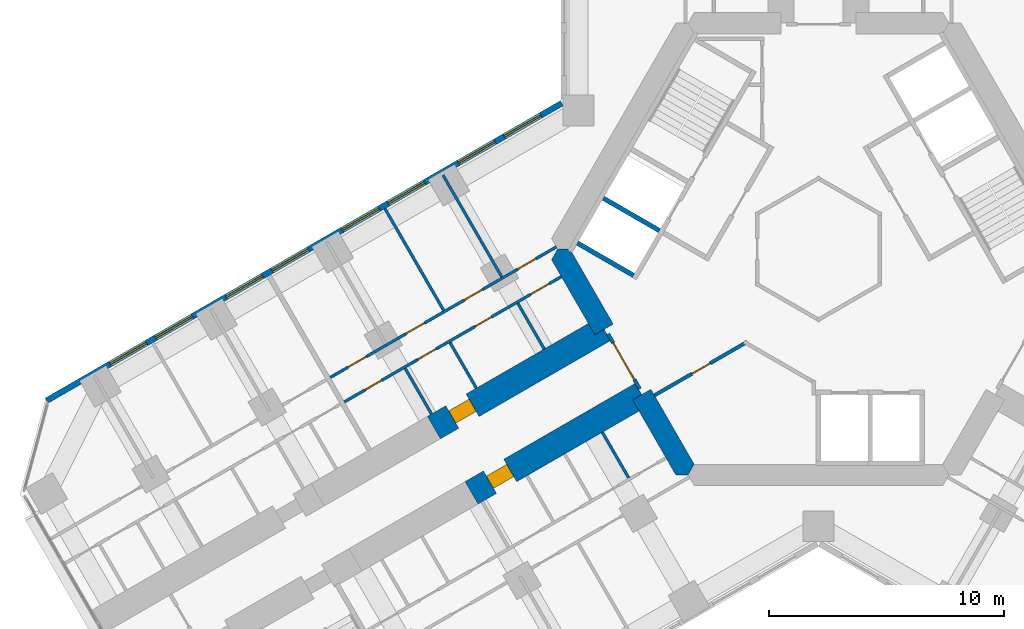
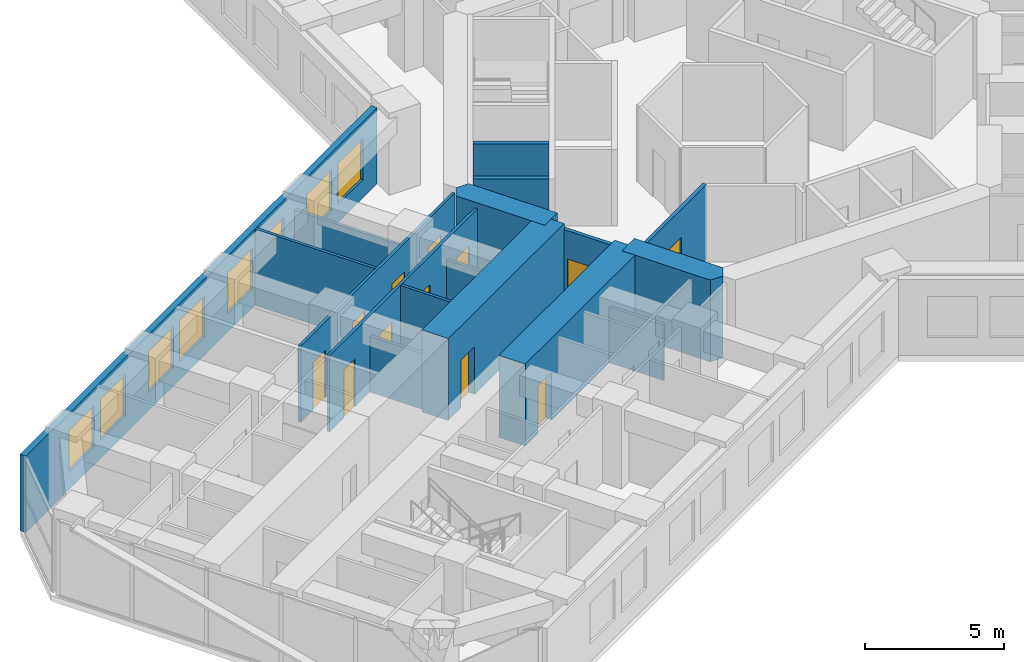
# One storey, part 12 of 19: 17 walls, 12 doors, 8 windows, 20 openings.
"""IFC4 building model written with IfcOpenShell, lengths in metres."""

from ifc_helpers import new_model, si_unit, direction, frame, frame_2d, origin, place, context, subcontext, project, spatial, polyline, rectangle, outline, extrude, material, layer, layer_set, type_object, element, fill, save


model = new_model("IFC4")

# Units and contexts
model_context = context("Model", 3, precision=1e-05, world=origin(), true_north=direction((0.0, 1.0)))
body_context = subcontext(model_context, "Body", "Model", "MODEL_VIEW")
ifc_project = project(units=[si_unit("LENGTHUNIT", "METRE"), si_unit("AREAUNIT", "SQUARE_METRE"), si_unit("VOLUMEUNIT", "CUBIC_METRE"), si_unit("PLANEANGLEUNIT", "RADIAN"), si_unit("MASSUNIT", "GRAM", prefix="KILO")], contexts=[model_context])

# Site, building, storey
site_placement = place(None, origin())
site = spatial("IfcSite", under=ifc_project, at=site_placement, CompositionType="ELEMENT")
building_placement = place(site_placement, origin())
building = spatial("IfcBuilding", under=site, at=building_placement, Name="Kosmar Iwan School Tower", CompositionType="ELEMENT")
storey_placement = place(building_placement, frame((0.0, 0.0, 120.199951171875)))
storey = spatial("IfcBuildingStorey", under=building, at=storey_placement, Name="L29", CompositionType="ELEMENT", Elevation=120.199951171875)

# Wall, opening, door
ifc_material_1 = material(Name="Gypsum board on steel studs, fire-rated", Category="steel")
ifc_layer_1 = layer(ifc_material_1, 0.14990234375)
ifc_layer_set_1 = layer_set([ifc_layer_1], Name="Core room partition 150")
wall_type_1 = type_object("IfcWallType", Name="Core room partition 150", PredefinedType="PARTITIONING", material=ifc_layer_set_1)
wall_1_placement = place(storey_placement, frame((-6.978515625, -6.222900390625, 0.0), z_axis=(0.0, 0.0, 1.0), x_axis=(0.866033797781, 0.49998546089, 0.0)))
wall_1 = element("IfcWall", 1, at=wall_1_placement, inside=storey, type_object=wall_type_1, Name="Core room partition L29-CW5", PredefinedType="PARTITIONING", context=body_context, shape_type="SweptSolid", body=[
    extrude(rectangle(XDim=4.553466796875, YDim=0.14990234375, at=frame_2d((2.27685546875, 0.0))), origin(), (0.0, 0.0, 1.0), 3.35009765625),
])
opening_1_placement = place(wall_1_placement, frame((1.846923828125, 0.0, 0.0)))
opening_1 = element("IfcOpeningElement", 2, at=opening_1_placement, cuts=wall_1, Name="Opening D14", PredefinedType="OPENING", context=body_context, shape_type="SweptSolid", body=[
    extrude(rectangle(XDim=0.89990234375, YDim=2.10009765625, at=frame_2d((0.449951171875, 1.050048828125))), frame((0.0, 0.0869140625, 0.0), z_axis=(0.0, -1.0, 0.0), x_axis=(1.0, 0.0, 0.0)), (0.0, 0.0, 1.0), 0.173828125),
])
ifc_material_2 = material(Name="Timber fire door in steel frame", Category="steel")
door_type_1 = type_object("IfcDoorType", Name="Core room door 900x2100", OperationType="SINGLE_SWING_LEFT", PredefinedType="DOOR", material=ifc_material_2)
door_1_placement = place(opening_1_placement, origin())
door_1 = element("IfcDoor", 3, at=door_1_placement, inside=storey, type_object=door_type_1, Name="Parcel room door L29 3", OperationType="SINGLE_SWING_LEFT", OverallHeight=2.10009765625, OverallWidth=0.89990234375, PredefinedType="DOOR", context=body_context, shape_type="SweptSolid", body=[
    extrude(rectangle(XDim=0.89990234375, YDim=2.10009765625, at=frame_2d((0.449951171875, 1.050048828125))), frame((0.0, 0.02490234375, 0.0), z_axis=(0.0, -1.0, 0.0), x_axis=(1.0, 0.0, 0.0)), (0.0, 0.0, 1.0), 0.050048828125),
])
fill(opening_1, door_1)

# Walls
ifc_material_3 = material(Name="Concrete C50/60", Category="concrete")
ifc_layer_2 = layer(ifc_material_3, 0.89990234375)
ifc_layer_set_2 = layer_set([ifc_layer_2], Name="Core wall 900")
wall_type_2 = type_object("IfcWallType", Name="Core wall 900", PredefinedType="SHEAR", material=ifc_layer_set_2)
wall_2_placement = place(storey_placement, origin())
element("IfcWall", 4, at=wall_2_placement, inside=storey, type_object=wall_type_2, Name="Core wall F210a", PredefinedType="SHEAR", context=body_context, shape_type="SweptSolid", body=[
    extrude(outline(polyline([(-9.503662109375, -3.639404296875), (-8.72412109375, -3.189453125), (-10.5654296875, 0.0), (-11.085205078125, 0.0), (-11.344970703125, -0.449951171875), (-9.503662109375, -3.639404296875)])), origin(), (0.0, 0.0, 1.0), 3.60009765625),
])
wall_3_placement = place(storey_placement, origin())
element("IfcWall", 5, at=wall_3_placement, inside=storey, type_object=wall_type_2, Name="Core wall F210b", PredefinedType="SHEAR", context=body_context, shape_type="SweptSolid", body=[
    extrude(outline(polyline([(-6.062255859375, -9.60009765625), (-5.54248046875, -9.60009765625), (-5.28271484375, -9.14990234375), (-7.1240234375, -5.960693359375), (-7.903564453125, -6.41064453125), (-6.062255859375, -9.60009765625)])), origin(), (0.0, 0.0, 1.0), 3.60009765625),
])

# Wall, opening, door
ifc_material_4 = material(Name="Concrete C50/60", Category="concrete")
ifc_layer_3 = layer(ifc_material_4, 1.10009765625)
ifc_layer_set_3 = layer_set([ifc_layer_3], Name="Corridor buttress wall 1100")
wall_type_3 = type_object("IfcWallType", Name="Corridor buttress wall 1100", PredefinedType="SHEAR", material=ifc_layer_set_3)
wall_4_placement = place(storey_placement, frame((-7.513916015625, -6.185546875, 0.0), z_axis=(0.0, 0.0, 1.0), x_axis=(-0.866019549707, -0.500010139422, 0.0)))
wall_4 = element("IfcWall", 6, at=wall_4_placement, inside=storey, type_object=wall_type_3, Name="Corridor wall BL", PredefinedType="SHEAR", context=body_context, shape_type="SweptSolid", body=[
    extrude(rectangle(XDim=8.349853515625, YDim=1.10009765625, at=frame_2d((4.1748046875, 0.0))), origin(), (0.0, 0.0, 1.0), 3.60009765625),
])
opening_2_placement = place(wall_4_placement, frame((6.449951171875, 0.0, 0.0)))
opening_2 = element("IfcOpeningElement", 7, at=opening_2_placement, cuts=wall_4, Name="Opening D1", PredefinedType="OPENING", context=body_context, shape_type="SweptSolid", body=[
    extrude(rectangle(XDim=1.0, YDim=2.10009765625, at=frame_2d((0.5, 1.050048828125))), frame((0.0, 0.56201171875, 0.0), z_axis=(0.0, -1.0, 0.0), x_axis=(1.0, 0.0, 0.0)), (0.0, 0.0, 1.0), 1.1240234375),
])
ifc_material_5 = material(Name="Timber fire door in steel frame", Category="steel")
door_type_2 = type_object("IfcDoorType", Name="Flat entrance door 1000x2100", OperationType="SINGLE_SWING_LEFT", PredefinedType="DOOR", material=ifc_material_5)
door_2_placement = place(opening_2_placement, origin())
door_2 = element("IfcDoor", 8, at=door_2_placement, inside=storey, type_object=door_type_2, Name="Flat L29-BL1 entrance door", OperationType="SINGLE_SWING_LEFT", OverallHeight=2.10009765625, OverallWidth=1.0, PredefinedType="DOOR", context=body_context, shape_type="SweptSolid", body=[
    extrude(rectangle(XDim=1.0, YDim=2.10009765625, at=frame_2d((0.5, 1.050048828125))), frame((0.0, 0.300048828125, 0.0), z_axis=(0.0, -1.0, 0.0), x_axis=(1.0, 0.0, 0.0)), (0.0, 0.0, 1.0), 0.60009765625),
])
fill(opening_2, door_2)

wall_5_placement = place(storey_placement, frame((-9.11376953125, -3.414306640625, 0.0), z_axis=(0.0, 0.0, 1.0), x_axis=(-0.866026859388, -0.499997478812, 0.0)))
wall_5 = element("IfcWall", 9, at=wall_5_placement, inside=storey, type_object=wall_type_3, Name="Corridor wall BR", PredefinedType="SHEAR", context=body_context, shape_type="SweptSolid", body=[
    extrude(rectangle(XDim=8.35009765625, YDim=1.10009765625, at=frame_2d((4.175048828125, 0.0))), origin(), (0.0, 0.0, 1.0), 3.60009765625),
])
opening_3_placement = place(wall_5_placement, frame((6.449951171875, 0.0, 0.0)))
opening_3 = element("IfcOpeningElement", 10, at=opening_3_placement, cuts=wall_5, Name="Opening D1", PredefinedType="OPENING", context=body_context, shape_type="SweptSolid", body=[
    extrude(rectangle(XDim=1.0, YDim=2.10009765625, at=frame_2d((0.5, 1.050048828125))), frame((0.0, 0.56201171875, 0.0), z_axis=(0.0, -1.0, 0.0), x_axis=(1.0, 0.0, 0.0)), (0.0, 0.0, 1.0), 1.1240234375),
])
door_3_placement = place(opening_3_placement, origin())
door_3 = element("IfcDoor", 11, at=door_3_placement, inside=storey, type_object=door_type_2, Name="Flat L29-BR1 entrance door", OperationType="SINGLE_SWING_RIGHT", OverallHeight=2.10009765625, OverallWidth=1.0, PredefinedType="DOOR", context=body_context, shape_type="SweptSolid", body=[
    extrude(rectangle(XDim=1.0, YDim=2.10009765625, at=frame_2d((0.5, 1.050048828125))), frame((0.0, 0.300048828125, 0.0), z_axis=(0.0, -1.0, 0.0), x_axis=(1.0, 0.0, 0.0)), (0.0, 0.0, 1.0), 0.60009765625),
])
fill(opening_3, door_3)

ifc_material_6 = material(Name="Steel framed glazed screen", Category="steel")
ifc_layer_4 = layer(ifc_material_6, 0.14990234375)
ifc_layer_set_4 = layer_set([ifc_layer_4], Name="Corridor screen wall 150")
wall_type_4 = type_object("IfcWallType", Name="Corridor screen wall 150", PredefinedType="PARTITIONING", material=ifc_layer_set_4)
wall_6_placement = place(storey_placement, frame((-8.945556640625, -3.60595703125, 0.0), z_axis=(0.0, 0.0, 1.0), x_axis=(0.500048589285, -0.86599734893, 0.0)))
wall_6 = element("IfcWall", 12, at=wall_6_placement, inside=storey, type_object=wall_type_4, Name="Corridor screen B L29", PredefinedType="PARTITIONING", context=body_context, shape_type="SweptSolid", body=[
    extrude(rectangle(XDim=2.699951171875, YDim=0.14990234375, at=frame_2d((1.35009765625, 0.0))), origin(), (0.0, 0.0, 1.0), 3.35009765625),
])
opening_4_placement = place(wall_6_placement, frame((0.449951171875, 0.0, 0.0)))
opening_4 = element("IfcOpeningElement", 13, at=opening_4_placement, cuts=wall_6, Name="Opening D9", PredefinedType="OPENING", context=body_context, shape_type="SweptSolid", body=[
    extrude(rectangle(XDim=1.800048828125, YDim=2.10009765625, at=frame_2d((0.89990234375, 1.050048828125))), frame((0.0, 0.0869140625, 0.0), z_axis=(0.0, -1.0, 0.0), x_axis=(1.0, 0.0, 0.0)), (0.0, 0.0, 1.0), 0.173828125),
])
ifc_material_7 = material(Name="Steel framed glazed smoke door", Category="steel")
door_type_3 = type_object("IfcDoorType", Name="Corridor smoke door pair 1800x2100", OperationType="DOUBLE_DOOR_DOUBLE_SWING", PredefinedType="DOOR", material=ifc_material_7)
door_4_placement = place(opening_4_placement, origin())
door_4 = element("IfcDoor", 14, at=door_4_placement, inside=storey, type_object=door_type_3, Name="Corridor doors B L29", OperationType="DOUBLE_DOOR_DOUBLE_SWING", OverallHeight=2.10009765625, OverallWidth=1.800048828125, PredefinedType="DOOR", context=body_context, shape_type="SweptSolid", body=[
    extrude(rectangle(XDim=1.800048828125, YDim=2.10009765625, at=frame_2d((0.89990234375, 1.050048828125))), frame((0.0, 0.02490234375, 0.0), z_axis=(0.0, -1.0, 0.0), x_axis=(1.0, 0.0, 0.0)), (0.0, 0.0, 1.0), 0.050048828125),
])
fill(opening_4, door_4)

# Wall
ifc_material_8 = material(Name="Gypsum board on steel studs", Category="steel")
ifc_layer_5 = layer(ifc_material_8, 0.1201171875)
ifc_layer_set_5 = layer_set([ifc_layer_5], Name="Dwelling partition 120")
wall_type_5 = type_object("IfcWallType", Name="Dwelling partition 120", PredefinedType="PARTITIONING", material=ifc_layer_set_5)
wall_7_placement = place(storey_placement, frame((-9.1875, -7.786865234375, 0.0), z_axis=(0.0, 0.0, 1.0), x_axis=(0.500030632641, -0.866007717299, 0.0)))
element("IfcWall", 15, at=wall_7_placement, inside=storey, type_object=wall_type_5, Name="Partition L29-BL1-Y1", PredefinedType="PARTITIONING", context=body_context, shape_type="SweptSolid", body=[
    extrude(rectangle(XDim=2.239990234375, YDim=0.1201171875, at=frame_2d((1.1201171875, 0.0))), origin(), (0.0, 0.0, 1.0), 2.449951171875),
])

# Wall, openings, doors
wall_8_placement = place(storey_placement, frame((-10.928466796875, -1.171142578125, 0.0), z_axis=(0.0, 0.0, 1.0), x_axis=(-0.866032509089, -0.49998769305, 0.0)))
wall_8 = element("IfcWall", 16, at=wall_8_placement, inside=storey, type_object=wall_type_5, Name="Partition L29-BR1-W1", PredefinedType="PARTITIONING", context=body_context, shape_type="SweptSolid", body=[
    extrude(rectangle(XDim=10.650146484375, YDim=0.1201171875, at=frame_2d((5.3251953125, 0.0))), origin(), (0.0, 0.0, 1.0), 3.35009765625),
])
opening_5_placement = place(wall_8_placement, frame((0.610107421875, 0.0, 0.0)))
opening_5 = element("IfcOpeningElement", 17, at=opening_5_placement, cuts=wall_8, Name="Opening D2", PredefinedType="OPENING", context=body_context, shape_type="SweptSolid", body=[
    extrude(rectangle(XDim=0.89990234375, YDim=2.10009765625, at=frame_2d((0.449951171875, 1.050048828125))), frame((0.0, 0.072021484375, 0.0), z_axis=(0.0, -1.0, 0.0), x_axis=(1.0, 0.0, 0.0)), (0.0, 0.0, 1.0), 0.14404296875),
])
opening_6_placement = place(wall_8_placement, frame((3.43505859375, 0.0, 0.0)))
opening_6 = element("IfcOpeningElement", 18, at=opening_6_placement, cuts=wall_8, Name="Opening D3", PredefinedType="OPENING", context=body_context, shape_type="SweptSolid", body=[
    extrude(rectangle(XDim=0.800048828125, YDim=2.10009765625, at=frame_2d((0.39990234375, 1.050048828125))), frame((0.0, 0.072021484375, 0.0), z_axis=(0.0, -1.0, 0.0), x_axis=(1.0, 0.0, 0.0)), (0.0, 0.0, 1.0), 0.14404296875),
])
opening_7_placement = place(wall_8_placement, frame((6.14990234375, 0.0, 0.0)))
opening_7 = element("IfcOpeningElement", 19, at=opening_7_placement, cuts=wall_8, Name="Opening D2", PredefinedType="OPENING", context=body_context, shape_type="SweptSolid", body=[
    extrude(rectangle(XDim=0.89990234375, YDim=2.10009765625, at=frame_2d((0.449951171875, 1.050048828125))), frame((0.0, 0.072021484375, 0.0), z_axis=(0.0, -1.0, 0.0), x_axis=(1.0, 0.0, 0.0)), (0.0, 0.0, 1.0), 0.14404296875),
])
opening_8_placement = place(wall_8_placement, frame((8.824951171875, 0.0, 0.0)))
opening_8 = element("IfcOpeningElement", 20, at=opening_8_placement, cuts=wall_8, Name="Opening D3", PredefinedType="OPENING", context=body_context, shape_type="SweptSolid", body=[
    extrude(rectangle(XDim=0.800048828125, YDim=2.10009765625, at=frame_2d((0.39990234375, 1.050048828125))), frame((0.0, 0.072021484375, 0.0), z_axis=(0.0, -1.0, 0.0), x_axis=(1.0, 0.0, 0.0)), (0.0, 0.0, 1.0), 0.14404296875),
])
ifc_material_9 = material(Name="Timber door in timber frame", Category="wood")
door_type_4 = type_object("IfcDoorType", Name="Internal door 900x2100", OperationType="SINGLE_SWING_LEFT", PredefinedType="DOOR", material=ifc_material_9)
door_5_placement = place(opening_5_placement, origin())
door_5 = element("IfcDoor", 21, at=door_5_placement, inside=storey, type_object=door_type_4, Name="Pantry door L29-BR1-S1", OperationType="SINGLE_SWING_LEFT", OverallHeight=2.10009765625, OverallWidth=0.89990234375, PredefinedType="DOOR", context=body_context, shape_type="SweptSolid", body=[
    extrude(rectangle(XDim=0.89990234375, YDim=2.10009765625, at=frame_2d((0.449951171875, 1.050048828125))), frame((0.0, 0.02490234375, 0.0), z_axis=(0.0, -1.0, 0.0), x_axis=(1.0, 0.0, 0.0)), (0.0, 0.0, 1.0), 0.050048828125),
])
fill(opening_5, door_5)
door_6_placement = place(opening_7_placement, origin())
door_6 = element("IfcDoor", 22, at=door_6_placement, inside=storey, type_object=door_type_4, Name="Entrance hall door L29-BR1-S3", OperationType="SINGLE_SWING_LEFT", OverallHeight=2.10009765625, OverallWidth=0.89990234375, PredefinedType="DOOR", context=body_context, shape_type="SweptSolid", body=[
    extrude(rectangle(XDim=0.89990234375, YDim=2.10009765625, at=frame_2d((0.449951171875, 1.050048828125))), frame((0.0, 0.02490234375, 0.0), z_axis=(0.0, -1.0, 0.0), x_axis=(1.0, 0.0, 0.0)), (0.0, 0.0, 1.0), 0.050048828125),
])
fill(opening_7, door_6)
ifc_material_10 = material(Name="Timber door in timber frame", Category="wood")
door_type_5 = type_object("IfcDoorType", Name="Sanitary room door 800x2100", OperationType="SINGLE_SWING_LEFT", PredefinedType="DOOR", material=ifc_material_10)
door_7_placement = place(opening_6_placement, origin())
door_7 = element("IfcDoor", 23, at=door_7_placement, inside=storey, type_object=door_type_5, Name="Bathroom door L29-BR1-S2", OperationType="SINGLE_SWING_RIGHT", OverallHeight=2.10009765625, OverallWidth=0.800048828125, PredefinedType="DOOR", context=body_context, shape_type="SweptSolid", body=[
    extrude(rectangle(XDim=0.800048828125, YDim=2.10009765625, at=frame_2d((0.39990234375, 1.050048828125))), frame((0.0, 0.02490234375, 0.0), z_axis=(0.0, -1.0, 0.0), x_axis=(1.0, 0.0, 0.0)), (0.0, 0.0, 1.0), 0.050048828125),
])
fill(opening_6, door_7)
door_8_placement = place(opening_8_placement, origin())
door_8 = element("IfcDoor", 24, at=door_8_placement, inside=storey, type_object=door_type_5, Name="WC door L29-BR1-S4", OperationType="SINGLE_SWING_RIGHT", OverallHeight=2.10009765625, OverallWidth=0.800048828125, PredefinedType="DOOR", context=body_context, shape_type="SweptSolid", body=[
    extrude(rectangle(XDim=0.800048828125, YDim=2.10009765625, at=frame_2d((0.39990234375, 1.050048828125))), frame((0.0, 0.02490234375, 0.0), z_axis=(0.0, -1.0, 0.0), x_axis=(1.0, 0.0, 0.0)), (0.0, 0.0, 1.0), 0.050048828125),
])
fill(opening_8, door_8)

wall_9_placement = place(storey_placement, frame((-11.138916015625, 0.093017578125, 0.0), z_axis=(0.0, 0.0, 1.0), x_axis=(-0.866021494144, -0.500006771635, 0.0)))
wall_9 = element("IfcWall", 25, at=wall_9_placement, inside=storey, type_object=wall_type_5, Name="Partition L29-BR1-W2", PredefinedType="PARTITIONING", context=body_context, shape_type="SweptSolid", body=[
    extrude(rectangle(XDim=11.099853515625, YDim=0.1201171875, at=frame_2d((5.5498046875, 0.0))), origin(), (0.0, 0.0, 1.0), 3.35009765625),
])
opening_9_placement = place(wall_9_placement, frame((1.0, 0.0, 0.0)))
opening_9 = element("IfcOpeningElement", 26, at=opening_9_placement, cuts=wall_9, Name="Opening D2", PredefinedType="OPENING", context=body_context, shape_type="SweptSolid", body=[
    extrude(rectangle(XDim=0.89990234375, YDim=2.10009765625, at=frame_2d((0.449951171875, 1.050048828125))), frame((0.0, 0.072021484375, 0.0), z_axis=(0.0, -1.0, 0.0), x_axis=(1.0, 0.0, 0.0)), (0.0, 0.0, 1.0), 0.14404296875),
])
opening_10_placement = place(wall_9_placement, frame((3.625, 0.0, 0.0)))
opening_10 = element("IfcOpeningElement", 27, at=opening_10_placement, cuts=wall_9, Name="Opening D2", PredefinedType="OPENING", context=body_context, shape_type="SweptSolid", body=[
    extrude(rectangle(XDim=0.89990234375, YDim=2.10009765625, at=frame_2d((0.449951171875, 1.050048828125))), frame((0.0, 0.072021484375, 0.0), z_axis=(0.0, -1.0, 0.0), x_axis=(1.0, 0.0, 0.0)), (0.0, 0.0, 1.0), 0.14404296875),
])
opening_11_placement = place(wall_9_placement, frame((6.47509765625, 0.0, 0.0)))
opening_11 = element("IfcOpeningElement", 28, at=opening_11_placement, cuts=wall_9, Name="Opening D2", PredefinedType="OPENING", context=body_context, shape_type="SweptSolid", body=[
    extrude(rectangle(XDim=0.89990234375, YDim=2.10009765625, at=frame_2d((0.449951171875, 1.050048828125))), frame((0.0, 0.072021484375, 0.0), z_axis=(0.0, -1.0, 0.0), x_axis=(1.0, 0.0, 0.0)), (0.0, 0.0, 1.0), 0.14404296875),
])
opening_12_placement = place(wall_9_placement, frame((9.324951171875, 0.0, 0.0)))
opening_12 = element("IfcOpeningElement", 29, at=opening_12_placement, cuts=wall_9, Name="Opening D2", PredefinedType="OPENING", context=body_context, shape_type="SweptSolid", body=[
    extrude(rectangle(XDim=0.89990234375, YDim=2.10009765625, at=frame_2d((0.449951171875, 1.050048828125))), frame((0.0, 0.072021484375, 0.0), z_axis=(0.0, -1.0, 0.0), x_axis=(1.0, 0.0, 0.0)), (0.0, 0.0, 1.0), 0.14404296875),
])
door_9_placement = place(opening_9_placement, origin())
door_9 = element("IfcDoor", 30, at=door_9_placement, inside=storey, type_object=door_type_4, Name="Living room and kitchen door L29-BR1-F1", OperationType="SINGLE_SWING_LEFT", OverallHeight=2.10009765625, OverallWidth=0.89990234375, PredefinedType="DOOR", context=body_context, shape_type="SweptSolid", body=[
    extrude(rectangle(XDim=0.89990234375, YDim=2.10009765625, at=frame_2d((0.449951171875, 1.050048828125))), frame((0.0, 0.02490234375, 0.0), z_axis=(0.0, -1.0, 0.0), x_axis=(1.0, 0.0, 0.0)), (0.0, 0.0, 1.0), 0.050048828125),
])
fill(opening_9, door_9)
door_10_placement = place(opening_10_placement, origin())
door_10 = element("IfcDoor", 31, at=door_10_placement, inside=storey, type_object=door_type_4, Name="Study door L29-BR1-F2", OperationType="SINGLE_SWING_LEFT", OverallHeight=2.10009765625, OverallWidth=0.89990234375, PredefinedType="DOOR", context=body_context, shape_type="SweptSolid", body=[
    extrude(rectangle(XDim=0.89990234375, YDim=2.10009765625, at=frame_2d((0.449951171875, 1.050048828125))), frame((0.0, 0.02490234375, 0.0), z_axis=(0.0, -1.0, 0.0), x_axis=(1.0, 0.0, 0.0)), (0.0, 0.0, 1.0), 0.050048828125),
])
fill(opening_10, door_10)
door_11_placement = place(opening_11_placement, origin())
door_11 = element("IfcDoor", 32, at=door_11_placement, inside=storey, type_object=door_type_4, Name="Study door L29-BR1-F3", OperationType="SINGLE_SWING_RIGHT", OverallHeight=2.10009765625, OverallWidth=0.89990234375, PredefinedType="DOOR", context=body_context, shape_type="SweptSolid", body=[
    extrude(rectangle(XDim=0.89990234375, YDim=2.10009765625, at=frame_2d((0.449951171875, 1.050048828125))), frame((0.0, 0.02490234375, 0.0), z_axis=(0.0, -1.0, 0.0), x_axis=(1.0, 0.0, 0.0)), (0.0, 0.0, 1.0), 0.050048828125),
])
fill(opening_11, door_11)
door_12_placement = place(opening_12_placement, origin())
door_12 = element("IfcDoor", 33, at=door_12_placement, inside=storey, type_object=door_type_4, Name="Bedroom 1 door L29-BR1-F4", OperationType="SINGLE_SWING_RIGHT", OverallHeight=2.10009765625, OverallWidth=0.89990234375, PredefinedType="DOOR", context=body_context, shape_type="SweptSolid", body=[
    extrude(rectangle(XDim=0.89990234375, YDim=2.10009765625, at=frame_2d((0.449951171875, 1.050048828125))), frame((0.0, 0.02490234375, 0.0), z_axis=(0.0, -1.0, 0.0), x_axis=(1.0, 0.0, 0.0)), (0.0, 0.0, 1.0), 0.050048828125),
])
fill(opening_12, door_12)

# Walls
wall_10_placement = place(storey_placement, frame((-13.4638671875, -1.179931640625, 0.0), z_axis=(0.0, 0.0, 1.0), x_axis=(-0.499996339024, 0.86602751744, 0.0)))
element("IfcWall", 34, at=wall_10_placement, inside=storey, type_object=wall_type_5, Name="Partition L29-BR1-X1", PredefinedType="PARTITIONING", context=body_context, shape_type="SweptSolid", body=[
    extrude(rectangle(XDim=4.98974609375, YDim=0.1201171875, at=frame_2d((2.494873046875, 0.0))), origin(), (0.0, 0.0, 1.0), 2.449951171875),
])
wall_11_placement = place(storey_placement, frame((-15.931884765625, -2.60498046875, 0.0), z_axis=(0.0, 0.0, 1.0), x_axis=(-0.500011847778, 0.866018563358, 0.0)))
element("IfcWall", 35, at=wall_11_placement, inside=storey, type_object=wall_type_5, Name="Partition L29-BR1-X2", PredefinedType="PARTITIONING", context=body_context, shape_type="SweptSolid", body=[
    extrude(rectangle(XDim=4.990234375, YDim=0.1201171875, at=frame_2d((2.4951171875, 0.0))), origin(), (0.0, 0.0, 1.0), 3.35009765625),
])
wall_12_placement = place(storey_placement, frame((-11.65771484375, -4.248046875, 0.0), z_axis=(0.0, 0.0, 1.0), x_axis=(-0.500030632641, 0.866007717299, 0.0)))
element("IfcWall", 36, at=wall_12_placement, inside=storey, type_object=wall_type_5, Name="Partition L29-BR1-Y1", PredefinedType="PARTITIONING", context=body_context, shape_type="SweptSolid", body=[
    extrude(rectangle(XDim=2.239990234375, YDim=0.1201171875, at=frame_2d((1.1201171875, 0.0))), origin(), (0.0, 0.0, 1.0), 2.449951171875),
])
wall_13_placement = place(storey_placement, frame((-14.541748046875, -5.9130859375, 0.0), z_axis=(0.0, 0.0, 1.0), x_axis=(-0.49994888933, 0.866054910533, 0.0)))
element("IfcWall", 37, at=wall_13_placement, inside=storey, type_object=wall_type_5, Name="Partition L29-BR1-Y2", PredefinedType="PARTITIONING", context=body_context, shape_type="SweptSolid", body=[
    extrude(rectangle(XDim=2.239990234375, YDim=0.1201171875, at=frame_2d((1.1201171875, 0.0))), origin(), (0.0, 0.0, 1.0), 3.35009765625),
])
wall_14_placement = place(storey_placement, frame((-16.447021484375, -7.012939453125, 0.0), z_axis=(0.0, 0.0, 1.0), x_axis=(-0.49999608499, 0.866027664105, 0.0)))
element("IfcWall", 38, at=wall_14_placement, inside=storey, type_object=wall_type_5, Name="Partition L29-BR1-Y3", PredefinedType="PARTITIONING", context=body_context, shape_type="SweptSolid", body=[
    extrude(rectangle(XDim=2.23974609375, YDim=0.1201171875, at=frame_2d((1.119873046875, 0.0))), origin(), (0.0, 0.0, 1.0), 2.449951171875),
])

# Wall, openings, windows
ifc_material_11 = material(Name="Black aluminium rainscreen on insulated framing", Category="aluminium")
ifc_layer_6 = layer(ifc_material_11, 0.25)
ifc_layer_set_6 = layer_set([ifc_layer_6], Name="External wall rainscreen 250")
wall_type_6 = type_object("IfcWallType", Name="External wall rainscreen 250", PredefinedType="SOLIDWALL", material=ifc_layer_set_6)
wall_15_placement = place(storey_placement, frame((-10.91259765625, 6.19921875, 0.0), z_axis=(0.0, 0.0, 1.0), x_axis=(-0.866027685155, -0.49999604853, 0.0)))
wall_15 = element("IfcWall", 39, at=wall_15_placement, inside=storey, type_object=wall_type_6, Name="External wall BR L29", PredefinedType="SOLIDWALL", context=body_context, shape_type="SweptSolid", body=[
    extrude(rectangle(XDim=25.284423828125, YDim=0.25, at=frame_2d((12.64208984375, 0.0))), origin(), (0.0, 0.0, 1.0), 3.35009765625),
])
opening_13_placement = place(wall_15_placement, frame((1.024169921875, 0.0, 0.800048828125)))
opening_13 = element("IfcOpeningElement", 40, at=opening_13_placement, cuts=wall_15, Name="Opening W1", PredefinedType="OPENING", context=body_context, shape_type="SweptSolid", body=[
    extrude(rectangle(XDim=1.800048828125, YDim=1.800048828125, at=frame_2d((0.89990234375, 0.89990234375))), frame((0.0, 0.136962890625, 0.0), z_axis=(0.0, -1.0, 0.0), x_axis=(1.0, 0.0, 0.0)), (0.0, 0.0, 1.0), 0.27392578125),
])
opening_14_placement = place(wall_15_placement, frame((3.274169921875, 0.0, 0.800048828125)))
opening_14 = element("IfcOpeningElement", 41, at=opening_14_placement, cuts=wall_15, Name="Opening W1", PredefinedType="OPENING", context=body_context, shape_type="SweptSolid", body=[
    extrude(rectangle(XDim=1.800048828125, YDim=1.800048828125, at=frame_2d((0.89990234375, 0.89990234375))), frame((0.0, 0.136962890625, 0.0), z_axis=(0.0, -1.0, 0.0), x_axis=(1.0, 0.0, 0.0)), (0.0, 0.0, 1.0), 0.27392578125),
])
opening_15_placement = place(wall_15_placement, frame((6.72412109375, 0.0, 0.800048828125)))
opening_15 = element("IfcOpeningElement", 42, at=opening_15_placement, cuts=wall_15, Name="Opening W1", PredefinedType="OPENING", context=body_context, shape_type="SweptSolid", body=[
    extrude(rectangle(XDim=1.800048828125, YDim=1.800048828125, at=frame_2d((0.89990234375, 0.89990234375))), frame((0.0, 0.136962890625, 0.0), z_axis=(0.0, -1.0, 0.0), x_axis=(1.0, 0.0, 0.0)), (0.0, 0.0, 1.0), 0.27392578125),
])
opening_16_placement = place(wall_15_placement, frame((8.97412109375, 0.0, 0.800048828125)))
opening_16 = element("IfcOpeningElement", 43, at=opening_16_placement, cuts=wall_15, Name="Opening W1", PredefinedType="OPENING", context=body_context, shape_type="SweptSolid", body=[
    extrude(rectangle(XDim=1.800048828125, YDim=1.800048828125, at=frame_2d((0.89990234375, 0.89990234375))), frame((0.0, 0.136962890625, 0.0), z_axis=(0.0, -1.0, 0.0), x_axis=(1.0, 0.0, 0.0)), (0.0, 0.0, 1.0), 0.27392578125),
])
opening_17_placement = place(wall_15_placement, frame((12.424072265625, 0.0, 0.800048828125)))
opening_17 = element("IfcOpeningElement", 44, at=opening_17_placement, cuts=wall_15, Name="Opening W1", PredefinedType="OPENING", context=body_context, shape_type="SweptSolid", body=[
    extrude(rectangle(XDim=1.800048828125, YDim=1.800048828125, at=frame_2d((0.89990234375, 0.89990234375))), frame((0.0, 0.136962890625, 0.0), z_axis=(0.0, -1.0, 0.0), x_axis=(1.0, 0.0, 0.0)), (0.0, 0.0, 1.0), 0.27392578125),
])
opening_18_placement = place(wall_15_placement, frame((14.674072265625, 0.0, 0.800048828125)))
opening_18 = element("IfcOpeningElement", 45, at=opening_18_placement, cuts=wall_15, Name="Opening W1", PredefinedType="OPENING", context=body_context, shape_type="SweptSolid", body=[
    extrude(rectangle(XDim=1.800048828125, YDim=1.800048828125, at=frame_2d((0.89990234375, 0.89990234375))), frame((0.0, 0.136962890625, 0.0), z_axis=(0.0, -1.0, 0.0), x_axis=(1.0, 0.0, 0.0)), (0.0, 0.0, 1.0), 0.27392578125),
])
opening_19_placement = place(wall_15_placement, frame((18.124267578125, 0.0, 0.800048828125)))
opening_19 = element("IfcOpeningElement", 46, at=opening_19_placement, cuts=wall_15, Name="Opening W1", PredefinedType="OPENING", context=body_context, shape_type="SweptSolid", body=[
    extrude(rectangle(XDim=1.800048828125, YDim=1.800048828125, at=frame_2d((0.89990234375, 0.89990234375))), frame((0.0, 0.136962890625, 0.0), z_axis=(0.0, -1.0, 0.0), x_axis=(1.0, 0.0, 0.0)), (0.0, 0.0, 1.0), 0.27392578125),
])
opening_20_placement = place(wall_15_placement, frame((20.374267578125, 0.0, 0.800048828125)))
opening_20 = element("IfcOpeningElement", 47, at=opening_20_placement, cuts=wall_15, Name="Opening W1", PredefinedType="OPENING", context=body_context, shape_type="SweptSolid", body=[
    extrude(rectangle(XDim=1.800048828125, YDim=1.800048828125, at=frame_2d((0.89990234375, 0.89990234375))), frame((0.0, 0.136962890625, 0.0), z_axis=(0.0, -1.0, 0.0), x_axis=(1.0, 0.0, 0.0)), (0.0, 0.0, 1.0), 0.27392578125),
])
ifc_material_12 = material(Name="Black aluminium frame with dark triple glazing", Category="aluminium")
window_type = type_object("IfcWindowType", Name="Window 1800x1800", PartitioningType="SINGLE_PANEL", PredefinedType="WINDOW", material=ifc_material_12)
window_1_placement = place(opening_13_placement, origin())
window_1 = element("IfcWindow", 48, at=window_1_placement, inside=storey, type_object=window_type, Name="Window BR L29 -1", OverallHeight=1.800048828125, OverallWidth=1.800048828125, PartitioningType="SINGLE_PANEL", PredefinedType="WINDOW", context=body_context, shape_type="SweptSolid", body=[
    extrude(rectangle(XDim=1.800048828125, YDim=1.800048828125, at=frame_2d((0.89990234375, 0.89990234375))), frame((0.0, 0.030029296875, 0.0), z_axis=(0.0, -1.0, 0.0), x_axis=(1.0, 0.0, 0.0)), (0.0, 0.0, 1.0), 0.06005859375),
])
fill(opening_13, window_1)
window_2_placement = place(opening_14_placement, origin())
window_2 = element("IfcWindow", 49, at=window_2_placement, inside=storey, type_object=window_type, Name="Window BR L29 0", OverallHeight=1.800048828125, OverallWidth=1.800048828125, PartitioningType="SINGLE_PANEL", PredefinedType="WINDOW", context=body_context, shape_type="SweptSolid", body=[
    extrude(rectangle(XDim=1.800048828125, YDim=1.800048828125, at=frame_2d((0.89990234375, 0.89990234375))), frame((0.0, 0.030029296875, 0.0), z_axis=(0.0, -1.0, 0.0), x_axis=(1.0, 0.0, 0.0)), (0.0, 0.0, 1.0), 0.06005859375),
])
fill(opening_14, window_2)
window_3_placement = place(opening_15_placement, origin())
window_3 = element("IfcWindow", 50, at=window_3_placement, inside=storey, type_object=window_type, Name="Window BR L29 1", OverallHeight=1.800048828125, OverallWidth=1.800048828125, PartitioningType="SINGLE_PANEL", PredefinedType="WINDOW", context=body_context, shape_type="SweptSolid", body=[
    extrude(rectangle(XDim=1.800048828125, YDim=1.800048828125, at=frame_2d((0.89990234375, 0.89990234375))), frame((0.0, 0.030029296875, 0.0), z_axis=(0.0, -1.0, 0.0), x_axis=(1.0, 0.0, 0.0)), (0.0, 0.0, 1.0), 0.06005859375),
])
fill(opening_15, window_3)
window_4_placement = place(opening_16_placement, origin())
window_4 = element("IfcWindow", 51, at=window_4_placement, inside=storey, type_object=window_type, Name="Window BR L29 2", OverallHeight=1.800048828125, OverallWidth=1.800048828125, PartitioningType="SINGLE_PANEL", PredefinedType="WINDOW", context=body_context, shape_type="SweptSolid", body=[
    extrude(rectangle(XDim=1.800048828125, YDim=1.800048828125, at=frame_2d((0.89990234375, 0.89990234375))), frame((0.0, 0.030029296875, 0.0), z_axis=(0.0, -1.0, 0.0), x_axis=(1.0, 0.0, 0.0)), (0.0, 0.0, 1.0), 0.06005859375),
])
fill(opening_16, window_4)
window_5_placement = place(opening_17_placement, origin())
window_5 = element("IfcWindow", 52, at=window_5_placement, inside=storey, type_object=window_type, Name="Window BR L29 3", OverallHeight=1.800048828125, OverallWidth=1.800048828125, PartitioningType="SINGLE_PANEL", PredefinedType="WINDOW", context=body_context, shape_type="SweptSolid", body=[
    extrude(rectangle(XDim=1.800048828125, YDim=1.800048828125, at=frame_2d((0.89990234375, 0.89990234375))), frame((0.0, 0.030029296875, 0.0), z_axis=(0.0, -1.0, 0.0), x_axis=(1.0, 0.0, 0.0)), (0.0, 0.0, 1.0), 0.06005859375),
])
fill(opening_17, window_5)
window_6_placement = place(opening_18_placement, origin())
window_6 = element("IfcWindow", 53, at=window_6_placement, inside=storey, type_object=window_type, Name="Window BR L29 4", OverallHeight=1.800048828125, OverallWidth=1.800048828125, PartitioningType="SINGLE_PANEL", PredefinedType="WINDOW", context=body_context, shape_type="SweptSolid", body=[
    extrude(rectangle(XDim=1.800048828125, YDim=1.800048828125, at=frame_2d((0.89990234375, 0.89990234375))), frame((0.0, 0.030029296875, 0.0), z_axis=(0.0, -1.0, 0.0), x_axis=(1.0, 0.0, 0.0)), (0.0, 0.0, 1.0), 0.06005859375),
])
fill(opening_18, window_6)
window_7_placement = place(opening_19_placement, origin())
window_7 = element("IfcWindow", 54, at=window_7_placement, inside=storey, type_object=window_type, Name="Window BR L29 5", OverallHeight=1.800048828125, OverallWidth=1.800048828125, PartitioningType="SINGLE_PANEL", PredefinedType="WINDOW", context=body_context, shape_type="SweptSolid", body=[
    extrude(rectangle(XDim=1.800048828125, YDim=1.800048828125, at=frame_2d((0.89990234375, 0.89990234375))), frame((0.0, 0.030029296875, 0.0), z_axis=(0.0, -1.0, 0.0), x_axis=(1.0, 0.0, 0.0)), (0.0, 0.0, 1.0), 0.06005859375),
])
fill(opening_19, window_7)
window_8_placement = place(opening_20_placement, origin())
window_8 = element("IfcWindow", 55, at=window_8_placement, inside=storey, type_object=window_type, Name="Window BR L29 6", OverallHeight=1.800048828125, OverallWidth=1.800048828125, PartitioningType="SINGLE_PANEL", PredefinedType="WINDOW", context=body_context, shape_type="SweptSolid", body=[
    extrude(rectangle(XDim=1.800048828125, YDim=1.800048828125, at=frame_2d((0.89990234375, 0.89990234375))), frame((0.0, 0.030029296875, 0.0), z_axis=(0.0, -1.0, 0.0), x_axis=(1.0, 0.0, 0.0)), (0.0, 0.0, 1.0), 0.06005859375),
])
fill(opening_20, window_8)

# Walls
ifc_material_13 = material(Name="Concrete C50/60", Category="concrete")
ifc_layer_7 = layer(ifc_material_13, 0.199951171875)
ifc_layer_set_7 = layer_set([ifc_layer_7], Name="Lift shaft wall 200")
wall_type_7 = type_object("IfcWallType", Name="Lift shaft wall 200", PredefinedType="SHEAR", material=ifc_layer_set_7)
for number, where, z_axis, x_axis, name in (
    (56, (-6.7626953125, 0.78662109375, 0.0), (0.0, 0.0, 1.0), (-0.866027397988, 0.499996545922, 0.0), "Lift shaft wall AB 1"),
    (57, (-7.862548828125, -1.118408203125, 0.0), (0.0, 0.0, 1.0), (-0.866027397988, 0.499996545922, 0.0), "Lift shaft wall AB 2"),
):
    element("IfcWall", number, at=place(storey_placement, frame(where, z_axis=z_axis, x_axis=x_axis)), inside=storey, type_object=wall_type_7, Name=name, PredefinedType="SHEAR", context=body_context, shape_type="SweptSolid", body=[
        extrude(rectangle(XDim=2.75, YDim=0.199951171875, at=frame_2d((1.375, 0.0))), origin(), (0.0, 0.0, 1.0), 3.60009765625),
    ])

save(model, "model.ifc")
